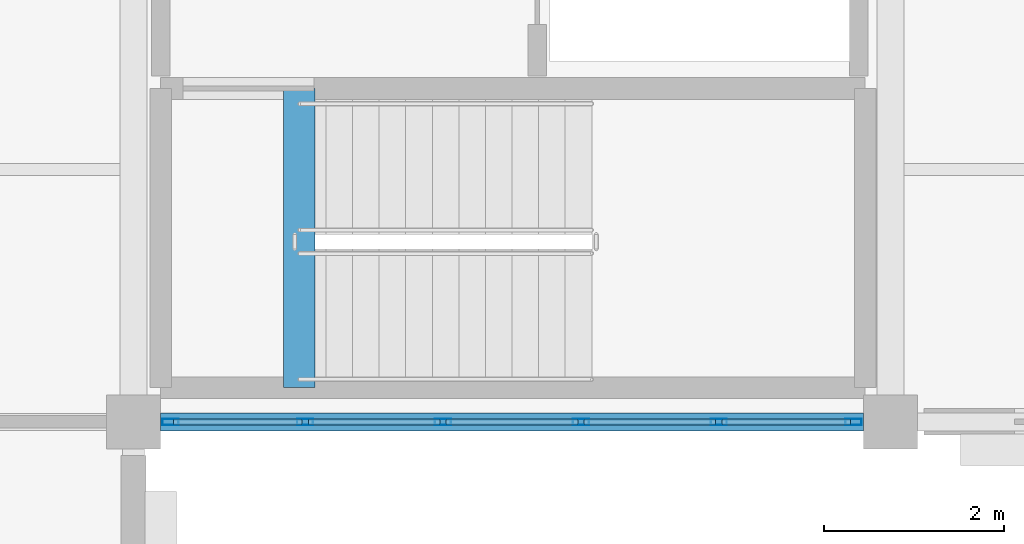
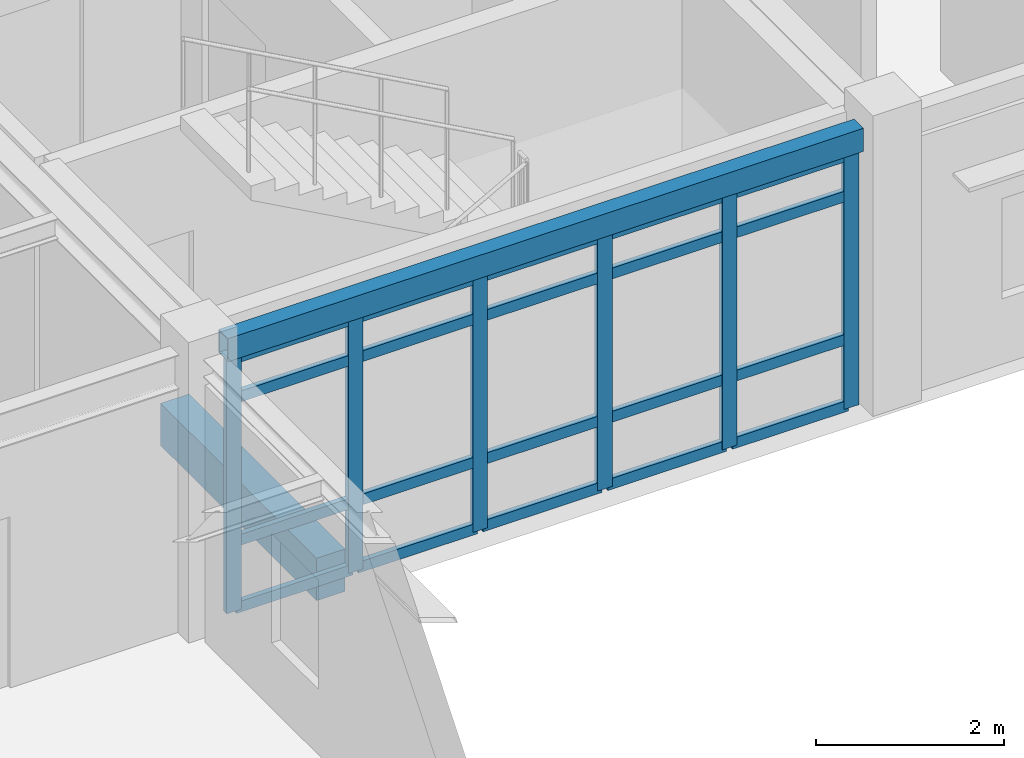
# One storey, part 29 of 70: 26 members, 2 beams, 1 element without a shape of its own.
"""IFC4 building model written with IfcOpenShell, lengths in metres."""

import ifcopenshell
import ifcopenshell.guid

model = None  # the IFC model being written
_history = None  # IfcOwnerHistory: only IFC2X3 demands one
_inside = {}  # id of a spatial element -> (the spatial element, [elements in it])
_under = {}  # id of a project, library or spatial element -> (it, [spatial elements below it])
_declared = {}  # id of a project -> (the project, [libraries it declares])
_typed = {}  # id of a type object -> (the type object, [elements of that type])
_made_of = {}  # id of a material, layer set ... -> (it, [elements and type objects made of it])


def new_model(schema):
    """Start an empty IFC model of exactly this schema.

    Asked for "IFC4X3", IfcOpenShell would pick the latest addendum, in which some entities
    have other attributes; the version numbers below select the first issue.
    IFC2X3 requires an IfcOwnerHistory on every rooted entity: one is made here for all.
    """
    global model, _history
    if schema == "IFC4X3":
        model = ifcopenshell.file(schema_version=(4, 3, 0, 0))
    else:
        model = ifcopenshell.file(schema=schema)
    _inside.clear()
    _under.clear()
    _declared.clear()
    _typed.clear()
    _made_of.clear()
    _history = None
    if model.schema == "IFC2X3":
        org = make("IfcOrganization", Name="unknown")
        user = make(
            "IfcPersonAndOrganization",
            ThePerson=make("IfcPerson", FamilyName="unknown"),
            TheOrganization=org,
        )
        app = make(
            "IfcApplication",
            ApplicationDeveloper=org,
            Version="unknown",
            ApplicationFullName="unknown",
            ApplicationIdentifier="unknown",
        )
        _history = make(
            "IfcOwnerHistory",
            OwningUser=user,
            OwningApplication=app,
            ChangeAction="ADDED",
            CreationDate=0,
        )
    return model


def make(cls, **values):
    """One entity of the class cls with the attributes given. An attribute that is None is left unset."""
    return model.create_entity(
        cls, **{name: value for name, value in values.items() if value is not None}
    )


def rooted(cls, **values):
    """An entity with a GlobalId (a new one), such as an element, a storey or a relation."""
    return make(cls, GlobalId=ifcopenshell.guid.new(), OwnerHistory=_history, **values)


def si_unit(unit_type, name, prefix=None):
    """IfcSIUnit, for example si_unit("LENGTHUNIT", "METRE", prefix="MILLI")."""
    return make("IfcSIUnit", UnitType=unit_type, Prefix=prefix, Name=name)


def assignment(units):
    """IfcUnitAssignment: the units of a project."""
    return None if units is None else make("IfcUnitAssignment", Units=units)


def point(xyz):
    """IfcCartesianPoint."""
    return None if xyz is None else make("IfcCartesianPoint", Coordinates=xyz)


def direction(xyz):
    """IfcDirection."""
    return None if xyz is None else make("IfcDirection", DirectionRatios=xyz)


def frame(location, z_axis=None, x_axis=None):
    """IfcAxis2Placement3D, a coordinate frame: its origin and axes. An axis left out is left unset."""
    return make(
        "IfcAxis2Placement3D",
        Location=point(location),
        Axis=direction(z_axis),
        RefDirection=direction(x_axis),
    )


def frame_2d(location, x_axis=None):
    """IfcAxis2Placement2D, a coordinate frame in the plane: its origin and x axis."""
    return make(
        "IfcAxis2Placement2D", Location=point(location), RefDirection=direction(x_axis)
    )


def origin():
    """The frame at (0, 0, 0) with its axes left unset."""
    return frame((0.0, 0.0, 0.0))


def origin_2d():
    """The frame at (0, 0) in the plane with its x axis left unset."""
    return frame_2d((0.0, 0.0))


def place(relative_to, where):
    """IfcLocalPlacement: puts the frame where relative to a parent placement (None: the world)."""
    return make(
        "IfcLocalPlacement", PlacementRelTo=relative_to, RelativePlacement=where
    )


def context(
    kind, dimensions, precision=None, world=None, true_north=None, identifier=None
):
    """IfcGeometricRepresentationContext, for example the 3D "Model" context."""
    return make(
        "IfcGeometricRepresentationContext",
        ContextIdentifier=identifier,
        ContextType=kind,
        CoordinateSpaceDimension=dimensions,
        Precision=precision,
        WorldCoordinateSystem=world,
        TrueNorth=true_north,
    )


def subcontext(parent, identifier, kind, view, scale=None):
    """IfcGeometricRepresentationSubContext, for example "Body" below "Model"."""
    return make(
        "IfcGeometricRepresentationSubContext",
        ContextIdentifier=identifier,
        ContextType=kind,
        ParentContext=parent,
        TargetScale=scale,
        TargetView=view,
    )


def project(units=None, contexts=None):
    """IfcProject with its units and contexts."""
    return rooted(
        "IfcProject",
        Name="project",
        RepresentationContexts=contexts,
        UnitsInContext=assignment(units),
    )


def spatial(cls, under=None, at=None, **own):
    """A site, building, storey or space (cls), placed at a placement, below another one or the project."""
    s = rooted(cls, ObjectPlacement=at, **own)
    if under is not None:
        _under.setdefault(under.id(), (under, []))[1].append(s)
    return s


def profile(cls, at=None, kind="AREA", **sizes):
    """A parametric profile (cls). Its sizes go by their IFC names, for example OverallWidth=200.0."""
    return make(cls, ProfileType=kind, Position=at, **sizes)


def rectangle(**sizes):
    """IfcRectangleProfileDef."""
    return profile("IfcRectangleProfileDef", **sizes)


def hollow_rectangle(**sizes):
    """IfcRectangleHollowProfileDef."""
    return profile("IfcRectangleHollowProfileDef", **sizes)


def extrude(swept, where, along, depth):
    """IfcExtrudedAreaSolid: the profile swept, set in the frame where, extruded along a direction by depth."""
    return make(
        "IfcExtrudedAreaSolid",
        SweptArea=swept,
        Position=where,
        ExtrudedDirection=direction(along),
        Depth=depth,
    )


def shape(context_of_items, identifier, shape_type, items):
    """IfcShapeRepresentation: the items that make up one representation, for example the "Body"."""
    return make(
        "IfcShapeRepresentation",
        ContextOfItems=context_of_items,
        RepresentationIdentifier=identifier,
        RepresentationType=shape_type,
        Items=items,
    )


def material(Name=None, Category=None):
    """IfcMaterial."""
    return make("IfcMaterial", Name=Name, Category=Category)


def layer(
    of_material, thickness, ventilated=None, Name=None, Category=None, Priority=None
):
    """IfcMaterialLayer: one layer of a wall or slab, of a material (None: an air gap)."""
    return make(
        "IfcMaterialLayer",
        Material=of_material,
        LayerThickness=thickness,
        IsVentilated=ventilated,
        Name=Name,
        Category=Category,
        Priority=Priority,
    )


def layer_set(layers, Name=None):
    """IfcMaterialLayerSet."""
    return make("IfcMaterialLayerSet", MaterialLayers=layers, LayerSetName=Name)


def material_profile(
    of_material, cross_section, Name=None, Category=None, Priority=None
):
    """IfcMaterialProfile: a cross section and its material."""
    return make(
        "IfcMaterialProfile",
        Name=Name,
        Material=of_material,
        Profile=cross_section,
        Priority=Priority,
        Category=Category,
    )


def profile_set(profiles, Name=None, composite=None):
    """IfcMaterialProfileSet."""
    return make(
        "IfcMaterialProfileSet",
        Name=Name,
        MaterialProfiles=profiles,
        CompositeProfile=composite,
    )


def made_of(thing, what):
    """Note that an element or type object is made of a material, layer set ...; save() writes the relation."""
    if what is not None:
        _made_of.setdefault(what.id(), (what, []))[1].append(thing)
    return thing


def type_object(cls, material=None, **own):
    """A type object (cls), such as IfcWallType, which elements share."""
    return made_of(rooted(cls, **own), material)


def element(
    cls,
    number,
    at=None,
    inside=None,
    cuts=None,
    type_object=None,
    material=None,
    context=None,
    identifier="Body",
    shape_type=None,
    held_by="IfcProductDefinitionShape",
    body=None,
    shapes=None,
    **own,
):
    """One element of the class cls, such as IfcWall. Its Tag is "e" and its number.

    at: its placement. inside: the storey or other place that contains it. cuts: it is an
    opening in that element (IfcRelVoidsElement). A single representation is given by context,
    identifier, shape_type and body (its items); several are given by shapes. held_by: the class
    of the entity that holds the representations. save() writes the other relations.
    """
    e = rooted(cls, Tag="e%d" % number, ObjectPlacement=at, **own)
    if body is not None:
        shapes = [shape(context, identifier, shape_type, body)]
    if shapes is not None:
        e.Representation = make(held_by, Representations=shapes)
    if inside is not None:
        _inside.setdefault(inside.id(), (inside, []))[1].append(e)
    if cuts is not None:
        rooted(
            "IfcRelVoidsElement", RelatingBuildingElement=cuts, RelatedOpeningElement=e
        )
    if type_object is not None:
        _typed.setdefault(type_object.id(), (type_object, []))[1].append(e)
    return made_of(e, material)


def aggregate(whole, parts):
    """IfcRelAggregates: a whole, such as a stair, and the parts it consists of."""
    return rooted("IfcRelAggregates", RelatingObject=whole, RelatedObjects=parts)


def save(model, path):
    """Write the relations noted so far, then the file.

    IfcRelAggregates (storeys below a building ...), IfcRelContainedInSpatialStructure (elements
    in a storey), IfcRelDefinesByType, IfcRelAssociatesMaterial and IfcRelDeclares: one each for
    every whole, place, type object, material and project.
    """
    for whole, parts in _under.values():
        aggregate(whole, parts)
    for where, things in _inside.values():
        rooted(
            "IfcRelContainedInSpatialStructure",
            RelatedElements=things,
            RelatingStructure=where,
        )
    for kind, things in _typed.values():
        rooted("IfcRelDefinesByType", RelatedObjects=things, RelatingType=kind)
    for what, things in _made_of.values():
        rooted("IfcRelAssociatesMaterial", RelatedObjects=things, RelatingMaterial=what)
    for by, libraries in _declared.values():
        rooted("IfcRelDeclares", RelatingContext=by, RelatedDefinitions=libraries)
    model.write(path)


model = new_model("IFC4")

# Units and contexts
model_context = context("Model", 3, precision=1e-05, world=origin(), true_north=direction((0.0, 1.0)))
body_context = subcontext(model_context, "Body", "Model", "MODEL_VIEW")
ifc_project = project(units=[si_unit("LENGTHUNIT", "METRE"), si_unit("AREAUNIT", "SQUARE_METRE"), si_unit("VOLUMEUNIT", "CUBIC_METRE"), si_unit("PLANEANGLEUNIT", "RADIAN"), si_unit("MASSUNIT", "GRAM", prefix="KILO")], contexts=[model_context])

# Site, building, storey
site_placement = place(None, origin())
site = spatial("IfcSite", under=ifc_project, at=site_placement, CompositionType="ELEMENT")
building_placement = place(site_placement, origin())
building = spatial("IfcBuilding", under=site, at=building_placement, Name="Bramfleet General Hospital", CompositionType="ELEMENT")
storey_placement = place(building_placement, frame((0.0, 0.0, 22.5)))
storey = spatial("IfcBuildingStorey", under=building, at=storey_placement, Name="L05", CompositionType="ELEMENT", Elevation=22.5)

# Beams
ifc_material_1 = material(Name="Concrete C35/45", Category="concrete")
ifc_material_profile_1 = material_profile(ifc_material_1, rectangle(XDim=0.35009765625, YDim=0.550048828125, at=origin_2d()), Name="RC BM 550x350")
ifc_profile_set_1 = profile_set([ifc_material_profile_1], Name="Concrete C35/45")
beam_type_1 = type_object("IfcBeamType", Name="BM-RC550", PredefinedType="BEAM", material=ifc_profile_set_1)
beam_1_placement = place(storey_placement, frame((119.43994140625, 92.780029296875, -0.27490234375), z_axis=(0.0, 1.0, 0.0), x_axis=(-1.0, 0.0, 0.0)))
element("IfcBeam", 1, at=beam_1_placement, inside=storey, type_object=beam_type_1, Name="L05 C6 Stairwell Trimmer Beam", PredefinedType="BEAM", context=body_context, shape_type="SweptSolid", body=[
    extrude(rectangle(XDim=0.35009765625, YDim=0.550048828125, at=origin_2d()), origin(), (0.0, 0.0, 1.0), 3.320068359375),
])
ifc_material_2 = material(Name="Steel S355", Category="steel")
ifc_material_profile_2 = material_profile(ifc_material_2, hollow_rectangle(XDim=0.199951171875, YDim=0.300048828125, WallThickness=0.012451171875, at=origin_2d()), Name="RHS 300x200x12.5")
ifc_profile_set_2 = profile_set([ifc_material_profile_2], Name="Steel S355")
beam_type_2 = type_object("IfcBeamType", Name="BM-RHS300", PredefinedType="SPANDREL", material=ifc_profile_set_2)
beam_2_placement = place(storey_placement, frame((117.89990234375, 92.39990234375, 3.469970703125), z_axis=(1.0, 0.0, 0.0), x_axis=(0.0, 1.0, 0.0)))
element("IfcBeam", 2, at=beam_2_placement, inside=storey, type_object=beam_type_2, Name="L05 Grid Beam X 14-11", PredefinedType="SPANDREL", context=body_context, shape_type="SweptSolid", body=[
    extrude(hollow_rectangle(XDim=0.199951171875, YDim=0.300048828125, WallThickness=0.012451171875, at=origin_2d()), origin(), (0.0, 0.0, 1.0), 7.800048828125),
])

# Curtain wall, members
ifc_material_3 = material(Name="Anodised aluminium and low-E triple glazing", Category="aluminium")
ifc_layer = layer(ifc_material_3, 0.179931640625, Name="CWT-CW-08")
ifc_layer_set = layer_set([ifc_layer], Name="Anodised aluminium and low-E triple glazing")
curtain_wall_type = type_object("IfcCurtainWallType", Name="CWT-CW-08", PredefinedType="USERDEFINED", material=ifc_layer_set)
curtain_wall_placement = place(storey_placement, origin())
curtain_wall = element("IfcCurtainWall", 3, at=curtain_wall_placement, inside=storey, type_object=curtain_wall_type, Name="L05 Curtain Wall 206", ObjectType="Unitised curtain wall", PredefinedType="USERDEFINED")
ifc_material_4 = material(Name="Anodised aluminium EN AW-6060", Category="aluminium")
ifc_material_profile_3 = material_profile(ifc_material_4, hollow_rectangle(XDim=0.070068359375, YDim=0.179931640625, WallThickness=0.00390625, at=origin_2d()), Name="ALU 180x70x4.0")
ifc_profile_set_3 = profile_set([ifc_material_profile_3], Name="Anodised aluminium EN AW-6060")
member_type_1 = type_object("IfcMemberType", Name="CWM-ALU180", PredefinedType="MULLION", material=ifc_profile_set_3)
member_1_placement = place(storey_placement, frame((125.590087890625, 92.39990234375, 0.0), z_axis=(0.0, 0.0, 1.0), x_axis=(0.0, -1.0, 0.0)))
member_1 = element("IfcMember", 4, at=member_1_placement, type_object=member_type_1, Name="CW-08 mullion 1", PredefinedType="MULLION", context=body_context, shape_type="SweptSolid", body=[
    extrude(hollow_rectangle(XDim=0.070068359375, YDim=0.179931640625, WallThickness=0.00390625, at=origin_2d()), origin(), (0.0, 0.0, 1.0), 3.31005859375),
])
member_2_placement = place(storey_placement, frame((124.094970703125, 92.39990234375, 0.0), z_axis=(0.0, 0.0, 1.0), x_axis=(0.0, -1.0, 0.0)))
member_2 = element("IfcMember", 5, at=member_2_placement, type_object=member_type_1, Name="CW-08 mullion 2", PredefinedType="MULLION", context=body_context, shape_type="SweptSolid", body=[
    extrude(hollow_rectangle(XDim=0.070068359375, YDim=0.179931640625, WallThickness=0.00390625, at=origin_2d()), origin(), (0.0, 0.0, 1.0), 3.31005859375),
])
member_3_placement = place(storey_placement, frame((122.56494140625, 92.39990234375, 0.0), z_axis=(0.0, 0.0, 1.0), x_axis=(0.0, -1.0, 0.0)))
member_3 = element("IfcMember", 6, at=member_3_placement, type_object=member_type_1, Name="CW-08 mullion 3", PredefinedType="MULLION", context=body_context, shape_type="SweptSolid", body=[
    extrude(hollow_rectangle(XDim=0.070068359375, YDim=0.179931640625, WallThickness=0.00390625, at=origin_2d()), origin(), (0.0, 0.0, 1.0), 3.31005859375),
])
member_4_placement = place(storey_placement, frame((121.034912109375, 92.39990234375, 0.0), z_axis=(0.0, 0.0, 1.0), x_axis=(0.0, -1.0, 0.0)))
member_4 = element("IfcMember", 7, at=member_4_placement, type_object=member_type_1, Name="CW-08 mullion 4", PredefinedType="MULLION", context=body_context, shape_type="SweptSolid", body=[
    extrude(hollow_rectangle(XDim=0.070068359375, YDim=0.179931640625, WallThickness=0.00390625, at=origin_2d()), origin(), (0.0, 0.0, 1.0), 3.31005859375),
])
member_5_placement = place(storey_placement, frame((119.5048828125, 92.39990234375, 0.0), z_axis=(0.0, 0.0, 1.0), x_axis=(0.0, -1.0, 0.0)))
member_5 = element("IfcMember", 8, at=member_5_placement, type_object=member_type_1, Name="CW-08 mullion 5", PredefinedType="MULLION", context=body_context, shape_type="SweptSolid", body=[
    extrude(hollow_rectangle(XDim=0.070068359375, YDim=0.179931640625, WallThickness=0.00390625, at=origin_2d()), origin(), (0.0, 0.0, 1.0), 3.31005859375),
])
member_6_placement = place(storey_placement, frame((118.010009765625, 92.39990234375, 0.0), z_axis=(0.0, 0.0, 1.0), x_axis=(0.0, -1.0, 0.0)))
member_6 = element("IfcMember", 9, at=member_6_placement, type_object=member_type_1, Name="CW-08 mullion 6", PredefinedType="MULLION", context=body_context, shape_type="SweptSolid", body=[
    extrude(hollow_rectangle(XDim=0.070068359375, YDim=0.179931640625, WallThickness=0.00390625, at=origin_2d()), origin(), (0.0, 0.0, 1.0), 3.31005859375),
])
ifc_material_profile_4 = material_profile(ifc_material_4, hollow_rectangle(XDim=0.06494140625, YDim=0.139892578125, WallThickness=0.00390625, at=origin_2d()), Name="ALU 140x65x4.0")
ifc_profile_set_4 = profile_set([ifc_material_profile_4], Name="Anodised aluminium EN AW-6060")
member_type_2 = type_object("IfcMemberType", Name="CWT-ALU140", PredefinedType="USERDEFINED", material=ifc_profile_set_4)
member_7_placement = place(storey_placement, frame((125.554931640625, 92.39990234375, 0.032470703125), z_axis=(-1.0, 0.0, 0.0), x_axis=(0.0, -1.0, 0.0)))
member_7 = element("IfcMember", 10, at=member_7_placement, type_object=member_type_2, Name="CW-08 transom 1.1", ObjectType="TRANSOM", PredefinedType="USERDEFINED", context=body_context, shape_type="SweptSolid", body=[
    extrude(hollow_rectangle(XDim=0.06494140625, YDim=0.139892578125, WallThickness=0.00390625, at=origin_2d()), origin(), (0.0, 0.0, 1.0), 1.425048828125),
])
member_8_placement = place(storey_placement, frame((125.554931640625, 92.39990234375, 0.89990234375), z_axis=(-1.0, 0.0, 0.0), x_axis=(0.0, -1.0, 0.0)))
member_8 = element("IfcMember", 11, at=member_8_placement, type_object=member_type_2, Name="CW-08 transom 1.2", ObjectType="TRANSOM", PredefinedType="USERDEFINED", context=body_context, shape_type="SweptSolid", body=[
    extrude(hollow_rectangle(XDim=0.06494140625, YDim=0.139892578125, WallThickness=0.00390625, at=origin_2d()), origin(), (0.0, 0.0, 1.0), 1.425048828125),
])
member_9_placement = place(storey_placement, frame((125.554931640625, 92.39990234375, 2.760009765625), z_axis=(-1.0, 0.0, 0.0), x_axis=(0.0, -1.0, 0.0)))
member_9 = element("IfcMember", 12, at=member_9_placement, type_object=member_type_2, Name="CW-08 transom 1.3", ObjectType="TRANSOM", PredefinedType="USERDEFINED", context=body_context, shape_type="SweptSolid", body=[
    extrude(hollow_rectangle(XDim=0.06494140625, YDim=0.139892578125, WallThickness=0.00390625, at=origin_2d()), origin(), (0.0, 0.0, 1.0), 1.425048828125),
])
member_10_placement = place(storey_placement, frame((125.554931640625, 92.39990234375, 3.277587890625), z_axis=(-1.0, 0.0, 0.0), x_axis=(0.0, -1.0, 0.0)))
member_10 = element("IfcMember", 13, at=member_10_placement, type_object=member_type_2, Name="CW-08 transom 1.4", ObjectType="TRANSOM", PredefinedType="USERDEFINED", context=body_context, shape_type="SweptSolid", body=[
    extrude(hollow_rectangle(XDim=0.06494140625, YDim=0.139892578125, WallThickness=0.00390625, at=origin_2d()), origin(), (0.0, 0.0, 1.0), 1.425048828125),
])
member_11_placement = place(storey_placement, frame((124.06005859375, 92.39990234375, 0.032470703125), z_axis=(-1.0, 0.0, 0.0), x_axis=(0.0, -1.0, 0.0)))
member_11 = element("IfcMember", 14, at=member_11_placement, type_object=member_type_2, Name="CW-08 transom 2.1", ObjectType="TRANSOM", PredefinedType="USERDEFINED", context=body_context, shape_type="SweptSolid", body=[
    extrude(hollow_rectangle(XDim=0.06494140625, YDim=0.139892578125, WallThickness=0.00390625, at=origin_2d()), origin(), (0.0, 0.0, 1.0), 1.4599609375),
])
member_12_placement = place(storey_placement, frame((124.06005859375, 92.39990234375, 0.89990234375), z_axis=(-1.0, 0.0, 0.0), x_axis=(0.0, -1.0, 0.0)))
member_12 = element("IfcMember", 15, at=member_12_placement, type_object=member_type_2, Name="CW-08 transom 2.2", ObjectType="TRANSOM", PredefinedType="USERDEFINED", context=body_context, shape_type="SweptSolid", body=[
    extrude(hollow_rectangle(XDim=0.06494140625, YDim=0.139892578125, WallThickness=0.00390625, at=origin_2d()), origin(), (0.0, 0.0, 1.0), 1.4599609375),
])
member_13_placement = place(storey_placement, frame((124.06005859375, 92.39990234375, 2.760009765625), z_axis=(-1.0, 0.0, 0.0), x_axis=(0.0, -1.0, 0.0)))
member_13 = element("IfcMember", 16, at=member_13_placement, type_object=member_type_2, Name="CW-08 transom 2.3", ObjectType="TRANSOM", PredefinedType="USERDEFINED", context=body_context, shape_type="SweptSolid", body=[
    extrude(hollow_rectangle(XDim=0.06494140625, YDim=0.139892578125, WallThickness=0.00390625, at=origin_2d()), origin(), (0.0, 0.0, 1.0), 1.4599609375),
])
member_14_placement = place(storey_placement, frame((124.06005859375, 92.39990234375, 3.277587890625), z_axis=(-1.0, 0.0, 0.0), x_axis=(0.0, -1.0, 0.0)))
member_14 = element("IfcMember", 17, at=member_14_placement, type_object=member_type_2, Name="CW-08 transom 2.4", ObjectType="TRANSOM", PredefinedType="USERDEFINED", context=body_context, shape_type="SweptSolid", body=[
    extrude(hollow_rectangle(XDim=0.06494140625, YDim=0.139892578125, WallThickness=0.00390625, at=origin_2d()), origin(), (0.0, 0.0, 1.0), 1.4599609375),
])
member_15_placement = place(storey_placement, frame((122.530029296875, 92.39990234375, 0.032470703125), z_axis=(-1.0, 0.0, 0.0), x_axis=(0.0, -1.0, 0.0)))
member_15 = element("IfcMember", 18, at=member_15_placement, type_object=member_type_2, Name="CW-08 transom 3.1", ObjectType="TRANSOM", PredefinedType="USERDEFINED", context=body_context, shape_type="SweptSolid", body=[
    extrude(hollow_rectangle(XDim=0.06494140625, YDim=0.139892578125, WallThickness=0.00390625, at=origin_2d()), origin(), (0.0, 0.0, 1.0), 1.4599609375),
])
member_16_placement = place(storey_placement, frame((122.530029296875, 92.39990234375, 0.89990234375), z_axis=(-1.0, 0.0, 0.0), x_axis=(0.0, -1.0, 0.0)))
member_16 = element("IfcMember", 19, at=member_16_placement, type_object=member_type_2, Name="CW-08 transom 3.2", ObjectType="TRANSOM", PredefinedType="USERDEFINED", context=body_context, shape_type="SweptSolid", body=[
    extrude(hollow_rectangle(XDim=0.06494140625, YDim=0.139892578125, WallThickness=0.00390625, at=origin_2d()), origin(), (0.0, 0.0, 1.0), 1.4599609375),
])
member_17_placement = place(storey_placement, frame((122.530029296875, 92.39990234375, 2.760009765625), z_axis=(-1.0, 0.0, 0.0), x_axis=(0.0, -1.0, 0.0)))
member_17 = element("IfcMember", 20, at=member_17_placement, type_object=member_type_2, Name="CW-08 transom 3.3", ObjectType="TRANSOM", PredefinedType="USERDEFINED", context=body_context, shape_type="SweptSolid", body=[
    extrude(hollow_rectangle(XDim=0.06494140625, YDim=0.139892578125, WallThickness=0.00390625, at=origin_2d()), origin(), (0.0, 0.0, 1.0), 1.4599609375),
])
member_18_placement = place(storey_placement, frame((122.530029296875, 92.39990234375, 3.277587890625), z_axis=(-1.0, 0.0, 0.0), x_axis=(0.0, -1.0, 0.0)))
member_18 = element("IfcMember", 21, at=member_18_placement, type_object=member_type_2, Name="CW-08 transom 3.4", ObjectType="TRANSOM", PredefinedType="USERDEFINED", context=body_context, shape_type="SweptSolid", body=[
    extrude(hollow_rectangle(XDim=0.06494140625, YDim=0.139892578125, WallThickness=0.00390625, at=origin_2d()), origin(), (0.0, 0.0, 1.0), 1.4599609375),
])
member_19_placement = place(storey_placement, frame((121.0, 92.39990234375, 0.032470703125), z_axis=(-1.0, 0.0, 0.0), x_axis=(0.0, -1.0, 0.0)))
member_19 = element("IfcMember", 22, at=member_19_placement, type_object=member_type_2, Name="CW-08 transom 4.1", ObjectType="TRANSOM", PredefinedType="USERDEFINED", context=body_context, shape_type="SweptSolid", body=[
    extrude(hollow_rectangle(XDim=0.06494140625, YDim=0.139892578125, WallThickness=0.00390625, at=origin_2d()), origin(), (0.0, 0.0, 1.0), 1.4599609375),
])
member_20_placement = place(storey_placement, frame((121.0, 92.39990234375, 0.89990234375), z_axis=(-1.0, 0.0, 0.0), x_axis=(0.0, -1.0, 0.0)))
member_20 = element("IfcMember", 23, at=member_20_placement, type_object=member_type_2, Name="CW-08 transom 4.2", ObjectType="TRANSOM", PredefinedType="USERDEFINED", context=body_context, shape_type="SweptSolid", body=[
    extrude(hollow_rectangle(XDim=0.06494140625, YDim=0.139892578125, WallThickness=0.00390625, at=origin_2d()), origin(), (0.0, 0.0, 1.0), 1.4599609375),
])
member_21_placement = place(storey_placement, frame((121.0, 92.39990234375, 2.760009765625), z_axis=(-1.0, 0.0, 0.0), x_axis=(0.0, -1.0, 0.0)))
member_21 = element("IfcMember", 24, at=member_21_placement, type_object=member_type_2, Name="CW-08 transom 4.3", ObjectType="TRANSOM", PredefinedType="USERDEFINED", context=body_context, shape_type="SweptSolid", body=[
    extrude(hollow_rectangle(XDim=0.06494140625, YDim=0.139892578125, WallThickness=0.00390625, at=origin_2d()), origin(), (0.0, 0.0, 1.0), 1.4599609375),
])
member_22_placement = place(storey_placement, frame((121.0, 92.39990234375, 3.277587890625), z_axis=(-1.0, 0.0, 0.0), x_axis=(0.0, -1.0, 0.0)))
member_22 = element("IfcMember", 25, at=member_22_placement, type_object=member_type_2, Name="CW-08 transom 4.4", ObjectType="TRANSOM", PredefinedType="USERDEFINED", context=body_context, shape_type="SweptSolid", body=[
    extrude(hollow_rectangle(XDim=0.06494140625, YDim=0.139892578125, WallThickness=0.00390625, at=origin_2d()), origin(), (0.0, 0.0, 1.0), 1.4599609375),
])
member_23_placement = place(storey_placement, frame((119.469970703125, 92.39990234375, 0.032470703125), z_axis=(-1.0, 0.0, 0.0), x_axis=(0.0, -1.0, 0.0)))
member_23 = element("IfcMember", 26, at=member_23_placement, type_object=member_type_2, Name="CW-08 transom 5.1", ObjectType="TRANSOM", PredefinedType="USERDEFINED", context=body_context, shape_type="SweptSolid", body=[
    extrude(hollow_rectangle(XDim=0.06494140625, YDim=0.139892578125, WallThickness=0.00390625, at=origin_2d()), origin(), (0.0, 0.0, 1.0), 1.425048828125),
])
member_24_placement = place(storey_placement, frame((119.469970703125, 92.39990234375, 0.89990234375), z_axis=(-1.0, 0.0, 0.0), x_axis=(0.0, -1.0, 0.0)))
member_24 = element("IfcMember", 27, at=member_24_placement, type_object=member_type_2, Name="CW-08 transom 5.2", ObjectType="TRANSOM", PredefinedType="USERDEFINED", context=body_context, shape_type="SweptSolid", body=[
    extrude(hollow_rectangle(XDim=0.06494140625, YDim=0.139892578125, WallThickness=0.00390625, at=origin_2d()), origin(), (0.0, 0.0, 1.0), 1.425048828125),
])
member_25_placement = place(storey_placement, frame((119.469970703125, 92.39990234375, 2.760009765625), z_axis=(-1.0, 0.0, 0.0), x_axis=(0.0, -1.0, 0.0)))
member_25 = element("IfcMember", 28, at=member_25_placement, type_object=member_type_2, Name="CW-08 transom 5.3", ObjectType="TRANSOM", PredefinedType="USERDEFINED", context=body_context, shape_type="SweptSolid", body=[
    extrude(hollow_rectangle(XDim=0.06494140625, YDim=0.139892578125, WallThickness=0.00390625, at=origin_2d()), origin(), (0.0, 0.0, 1.0), 1.425048828125),
])
member_26_placement = place(storey_placement, frame((119.469970703125, 92.39990234375, 3.277587890625), z_axis=(-1.0, 0.0, 0.0), x_axis=(0.0, -1.0, 0.0)))
member_26 = element("IfcMember", 29, at=member_26_placement, type_object=member_type_2, Name="CW-08 transom 5.4", ObjectType="TRANSOM", PredefinedType="USERDEFINED", context=body_context, shape_type="SweptSolid", body=[
    extrude(hollow_rectangle(XDim=0.06494140625, YDim=0.139892578125, WallThickness=0.00390625, at=origin_2d()), origin(), (0.0, 0.0, 1.0), 1.425048828125),
])
aggregate(curtain_wall, [member_1, member_2, member_3, member_4, member_5, member_6, member_7, member_8, member_9, member_10, member_11, member_12, member_13, member_14, member_15, member_16, member_17, member_18, member_19, member_20, member_21, member_22, member_23, member_24, member_25, member_26])

save(model, "model.ifc")
